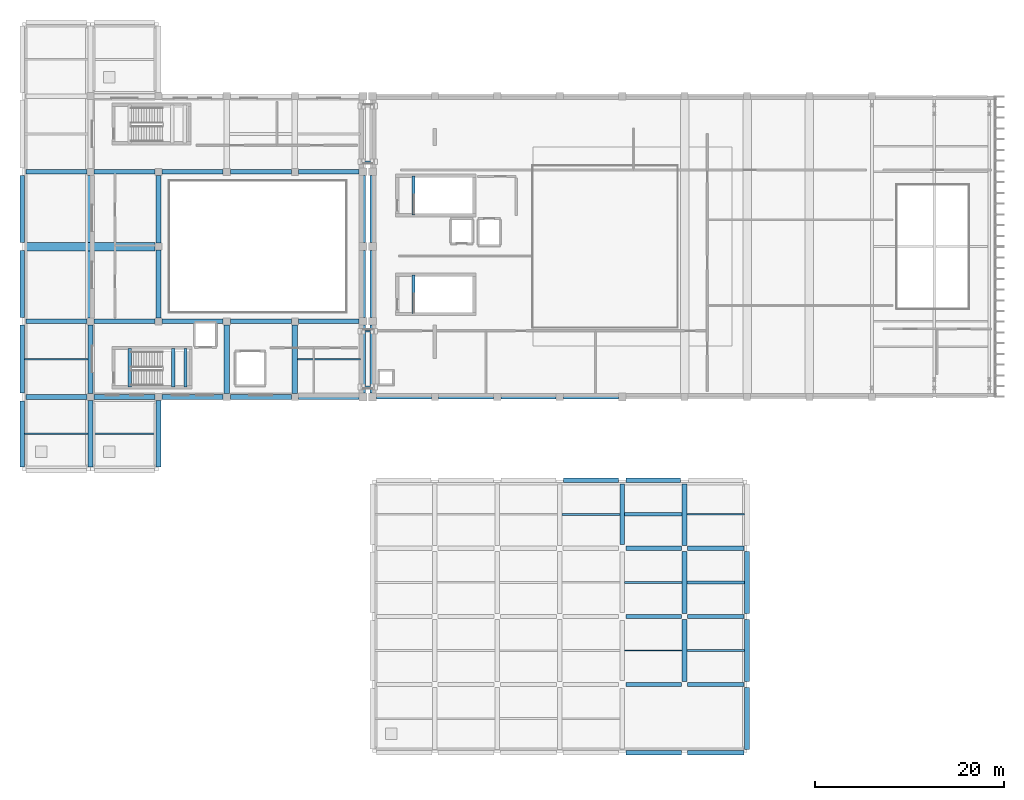
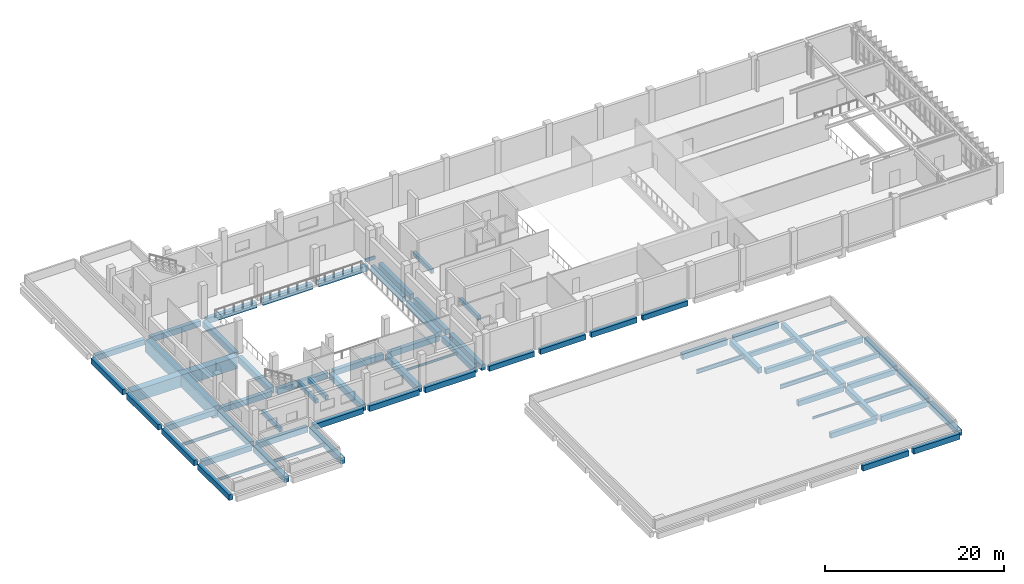
# One storey, part 2 of 23: 74 beams.
"""IFC4 building model written with IfcOpenShell, lengths in metres."""

import ifcopenshell
import ifcopenshell.guid

model = None  # the IFC model being written
_history = None  # IfcOwnerHistory: only IFC2X3 demands one
_inside = {}  # id of a spatial element -> (the spatial element, [elements in it])
_under = {}  # id of a project, library or spatial element -> (it, [spatial elements below it])
_declared = {}  # id of a project -> (the project, [libraries it declares])
_typed = {}  # id of a type object -> (the type object, [elements of that type])
_made_of = {}  # id of a material, layer set ... -> (it, [elements and type objects made of it])


def new_model(schema):
    """Start an empty IFC model of exactly this schema.

    Asked for "IFC4X3", IfcOpenShell would pick the latest addendum, in which some entities
    have other attributes; the version numbers below select the first issue.
    IFC2X3 requires an IfcOwnerHistory on every rooted entity: one is made here for all.
    """
    global model, _history
    if schema == "IFC4X3":
        model = ifcopenshell.file(schema_version=(4, 3, 0, 0))
    else:
        model = ifcopenshell.file(schema=schema)
    _inside.clear()
    _under.clear()
    _declared.clear()
    _typed.clear()
    _made_of.clear()
    _history = None
    if model.schema == "IFC2X3":
        org = make("IfcOrganization", Name="unknown")
        user = make(
            "IfcPersonAndOrganization",
            ThePerson=make("IfcPerson", FamilyName="unknown"),
            TheOrganization=org,
        )
        app = make(
            "IfcApplication",
            ApplicationDeveloper=org,
            Version="unknown",
            ApplicationFullName="unknown",
            ApplicationIdentifier="unknown",
        )
        _history = make(
            "IfcOwnerHistory",
            OwningUser=user,
            OwningApplication=app,
            ChangeAction="ADDED",
            CreationDate=0,
        )
    return model


def make(cls, **values):
    """One entity of the class cls with the attributes given. An attribute that is None is left unset."""
    return model.create_entity(
        cls, **{name: value for name, value in values.items() if value is not None}
    )


def rooted(cls, **values):
    """An entity with a GlobalId (a new one), such as an element, a storey or a relation."""
    return make(cls, GlobalId=ifcopenshell.guid.new(), OwnerHistory=_history, **values)


def si_unit(unit_type, name, prefix=None):
    """IfcSIUnit, for example si_unit("LENGTHUNIT", "METRE", prefix="MILLI")."""
    return make("IfcSIUnit", UnitType=unit_type, Prefix=prefix, Name=name)


def assignment(units):
    """IfcUnitAssignment: the units of a project."""
    return None if units is None else make("IfcUnitAssignment", Units=units)


def point(xyz):
    """IfcCartesianPoint."""
    return None if xyz is None else make("IfcCartesianPoint", Coordinates=xyz)


def direction(xyz):
    """IfcDirection."""
    return None if xyz is None else make("IfcDirection", DirectionRatios=xyz)


def frame(location, z_axis=None, x_axis=None):
    """IfcAxis2Placement3D, a coordinate frame: its origin and axes. An axis left out is left unset."""
    return make(
        "IfcAxis2Placement3D",
        Location=point(location),
        Axis=direction(z_axis),
        RefDirection=direction(x_axis),
    )


def frame_2d(location, x_axis=None):
    """IfcAxis2Placement2D, a coordinate frame in the plane: its origin and x axis."""
    return make(
        "IfcAxis2Placement2D", Location=point(location), RefDirection=direction(x_axis)
    )


def origin():
    """The frame at (0, 0, 0) with its axes left unset."""
    return frame((0.0, 0.0, 0.0))


def origin_2d():
    """The frame at (0, 0) in the plane with its x axis left unset."""
    return frame_2d((0.0, 0.0))


def place(relative_to, where):
    """IfcLocalPlacement: puts the frame where relative to a parent placement (None: the world)."""
    return make(
        "IfcLocalPlacement", PlacementRelTo=relative_to, RelativePlacement=where
    )


def context(
    kind, dimensions, precision=None, world=None, true_north=None, identifier=None
):
    """IfcGeometricRepresentationContext, for example the 3D "Model" context."""
    return make(
        "IfcGeometricRepresentationContext",
        ContextIdentifier=identifier,
        ContextType=kind,
        CoordinateSpaceDimension=dimensions,
        Precision=precision,
        WorldCoordinateSystem=world,
        TrueNorth=true_north,
    )


def subcontext(parent, identifier, kind, view, scale=None):
    """IfcGeometricRepresentationSubContext, for example "Body" below "Model"."""
    return make(
        "IfcGeometricRepresentationSubContext",
        ContextIdentifier=identifier,
        ContextType=kind,
        ParentContext=parent,
        TargetScale=scale,
        TargetView=view,
    )


def project(units=None, contexts=None):
    """IfcProject with its units and contexts."""
    return rooted(
        "IfcProject",
        Name="project",
        RepresentationContexts=contexts,
        UnitsInContext=assignment(units),
    )


def spatial(cls, under=None, at=None, **own):
    """A site, building, storey or space (cls), placed at a placement, below another one or the project."""
    s = rooted(cls, ObjectPlacement=at, **own)
    if under is not None:
        _under.setdefault(under.id(), (under, []))[1].append(s)
    return s


def profile(cls, at=None, kind="AREA", **sizes):
    """A parametric profile (cls). Its sizes go by their IFC names, for example OverallWidth=200.0."""
    return make(cls, ProfileType=kind, Position=at, **sizes)


def rectangle(**sizes):
    """IfcRectangleProfileDef."""
    return profile("IfcRectangleProfileDef", **sizes)


def hollow_rectangle(**sizes):
    """IfcRectangleHollowProfileDef."""
    return profile("IfcRectangleHollowProfileDef", **sizes)


def i_section(**sizes):
    """IfcIShapeProfileDef."""
    return profile("IfcIShapeProfileDef", **sizes)


def extrude(swept, where, along, depth):
    """IfcExtrudedAreaSolid: the profile swept, set in the frame where, extruded along a direction by depth."""
    return make(
        "IfcExtrudedAreaSolid",
        SweptArea=swept,
        Position=where,
        ExtrudedDirection=direction(along),
        Depth=depth,
    )


def shape(context_of_items, identifier, shape_type, items):
    """IfcShapeRepresentation: the items that make up one representation, for example the "Body"."""
    return make(
        "IfcShapeRepresentation",
        ContextOfItems=context_of_items,
        RepresentationIdentifier=identifier,
        RepresentationType=shape_type,
        Items=items,
    )


def material(Name=None, Category=None):
    """IfcMaterial."""
    return make("IfcMaterial", Name=Name, Category=Category)


def material_profile(
    of_material, cross_section, Name=None, Category=None, Priority=None
):
    """IfcMaterialProfile: a cross section and its material."""
    return make(
        "IfcMaterialProfile",
        Name=Name,
        Material=of_material,
        Profile=cross_section,
        Priority=Priority,
        Category=Category,
    )


def profile_set(profiles, Name=None, composite=None):
    """IfcMaterialProfileSet."""
    return make(
        "IfcMaterialProfileSet",
        Name=Name,
        MaterialProfiles=profiles,
        CompositeProfile=composite,
    )


def made_of(thing, what):
    """Note that an element or type object is made of a material, layer set ...; save() writes the relation."""
    if what is not None:
        _made_of.setdefault(what.id(), (what, []))[1].append(thing)
    return thing


def type_object(cls, material=None, **own):
    """A type object (cls), such as IfcWallType, which elements share."""
    return made_of(rooted(cls, **own), material)


def element(
    cls,
    number,
    at=None,
    inside=None,
    cuts=None,
    type_object=None,
    material=None,
    context=None,
    identifier="Body",
    shape_type=None,
    held_by="IfcProductDefinitionShape",
    body=None,
    shapes=None,
    **own,
):
    """One element of the class cls, such as IfcWall. Its Tag is "e" and its number.

    at: its placement. inside: the storey or other place that contains it. cuts: it is an
    opening in that element (IfcRelVoidsElement). A single representation is given by context,
    identifier, shape_type and body (its items); several are given by shapes. held_by: the class
    of the entity that holds the representations. save() writes the other relations.
    """
    e = rooted(cls, Tag="e%d" % number, ObjectPlacement=at, **own)
    if body is not None:
        shapes = [shape(context, identifier, shape_type, body)]
    if shapes is not None:
        e.Representation = make(held_by, Representations=shapes)
    if inside is not None:
        _inside.setdefault(inside.id(), (inside, []))[1].append(e)
    if cuts is not None:
        rooted(
            "IfcRelVoidsElement", RelatingBuildingElement=cuts, RelatedOpeningElement=e
        )
    if type_object is not None:
        _typed.setdefault(type_object.id(), (type_object, []))[1].append(e)
    return made_of(e, material)


def aggregate(whole, parts):
    """IfcRelAggregates: a whole, such as a stair, and the parts it consists of."""
    return rooted("IfcRelAggregates", RelatingObject=whole, RelatedObjects=parts)


def save(model, path):
    """Write the relations noted so far, then the file.

    IfcRelAggregates (storeys below a building ...), IfcRelContainedInSpatialStructure (elements
    in a storey), IfcRelDefinesByType, IfcRelAssociatesMaterial and IfcRelDeclares: one each for
    every whole, place, type object, material and project.
    """
    for whole, parts in _under.values():
        aggregate(whole, parts)
    for where, things in _inside.values():
        rooted(
            "IfcRelContainedInSpatialStructure",
            RelatedElements=things,
            RelatingStructure=where,
        )
    for kind, things in _typed.values():
        rooted("IfcRelDefinesByType", RelatedObjects=things, RelatingType=kind)
    for what, things in _made_of.values():
        rooted("IfcRelAssociatesMaterial", RelatedObjects=things, RelatingMaterial=what)
    for by, libraries in _declared.values():
        rooted("IfcRelDeclares", RelatingContext=by, RelatedDefinitions=libraries)
    model.write(path)


model = new_model("IFC4")

# Units and contexts
model_context = context("Model", 3, precision=1e-05, world=origin(), true_north=direction((0.0, 1.0)))
body_context = subcontext(model_context, "Body", "Model", "MODEL_VIEW")
ifc_project = project(units=[si_unit("LENGTHUNIT", "METRE"), si_unit("AREAUNIT", "SQUARE_METRE"), si_unit("VOLUMEUNIT", "CUBIC_METRE"), si_unit("PLANEANGLEUNIT", "RADIAN"), si_unit("MASSUNIT", "GRAM", prefix="KILO")], contexts=[model_context])

# Site, building, storey
site_placement = place(None, origin())
site = spatial("IfcSite", under=ifc_project, at=site_placement, CompositionType="ELEMENT")
building_placement = place(site_placement, origin())
building = spatial("IfcBuilding", under=site, at=building_placement, Name="Kelarvand Opera House", CompositionType="ELEMENT")
storey_placement = place(building_placement, frame((0.0, 0.0, 19.5)))
storey = spatial("IfcBuildingStorey", under=building, at=storey_placement, Name="L04", CompositionType="ELEMENT", Elevation=19.5)

# Beams
ifc_material_1 = material(Name="Concrete C35/45", Category="concrete")
ifc_material_profile_1 = material_profile(ifc_material_1, rectangle(XDim=0.35009765625, YDim=0.60009765625, at=origin_2d()), Name="RC 350x600", Category="concrete")
ifc_profile_set_1 = profile_set([ifc_material_profile_1], Name="Concrete C35/45")
beam_type_1 = type_object("IfcBeamType", Name="Structural Beam RC 350x600 BM-RC350x600", PredefinedType="BEAM", material=ifc_profile_set_1)
for number, where, z_axis, x_axis, name in (
    (1, (115.64990234375, 34.199951171875, -0.52001953125), (1.0, 0.0, 0.0), (0.0, 1.0, 0.0), "V6 L04 Beam BM-RC350x600"),
    (2, (122.25, 27.0, -0.52001953125), (1.0, 0.0, 0.0), (0.0, 1.0, 0.0), "V6 L04 Beam BM-RC350x600"),
):
    element("IfcBeam", number, at=place(storey_placement, frame(where, z_axis=z_axis, x_axis=x_axis)), inside=storey, type_object=beam_type_1, Name=name, PredefinedType="BEAM", context=body_context, shape_type="SweptSolid", body=[
        extrude(rectangle(XDim=0.35009765625, YDim=0.60009765625, at=origin_2d()), origin(), (0.0, 0.0, 1.0), 6.10009765625),
    ])
beam_1_placement = place(storey_placement, frame((93.340087890625, 65.85009765625, -0.52001953125), z_axis=(0.0, 1.0, 0.0), x_axis=(-1.0, 0.0, 0.0)))
element("IfcBeam", 3, at=beam_1_placement, inside=storey, type_object=beam_type_1, Name="C1 Stair Landing Support Beam L04", PredefinedType="BEAM", context=body_context, shape_type="SweptSolid", body=[
    extrude(rectangle(XDim=0.35009765625, YDim=0.60009765625, at=origin_2d()), origin(), (0.0, 0.0, 1.0), 4.099853515625),
])
for number, where, z_axis, x_axis, name in (
    (4, (63.340087890625, 47.64990234375, -0.52001953125), (0.0, 1.0, 0.0), (-1.0, 0.0, 0.0), "C2 Stair Landing Support Beam L04"),
    (5, (67.949951171875, 47.64990234375, 1.75), (0.0, 1.0, 0.0), (-1.0, 0.0, 0.0), "C2 Stair Half-Landing Beam 1 L04"),
    (6, (69.25, 47.64990234375, 1.75), (0.0, 1.0, 0.0), (-1.0, 0.0, 0.0), "C2 Stair Half-Landing Beam 2 L04"),
    (7, (93.340087890625, 55.39990234375, -0.52001953125), (0.0, 1.0, 0.0), (-1.0, 0.0, 0.0), "C4 Stair Landing Support Beam L04"),
):
    element("IfcBeam", number, at=place(storey_placement, frame(where, z_axis=z_axis, x_axis=x_axis)), inside=storey, type_object=beam_type_1, Name=name, PredefinedType="BEAM", context=body_context, shape_type="SweptSolid", body=[
        extrude(rectangle(XDim=0.35009765625, YDim=0.60009765625, at=origin_2d()), origin(), (0.0, 0.0, 1.0), 4.10009765625),
    ])
ifc_material_2 = material(Name="Concrete C40/50", Category="concrete")
ifc_material_profile_2 = material_profile(ifc_material_2, rectangle(XDim=0.449951171875, YDim=0.699951171875, at=origin_2d()), Name="RC 450x700", Category="concrete")
ifc_profile_set_2 = profile_set([ifc_material_profile_2], Name="Concrete C40/50")
beam_type_2 = type_object("IfcBeamType", Name="Structural Beam RC 450x700 BM-RC450x700", PredefinedType="BEAM", material=ifc_profile_set_2)
beam_2_placement = place(storey_placement, frame((89.409912109375, 46.60009765625, -0.6298828125), z_axis=(1.0, 0.0, 0.0), x_axis=(0.0, 1.0, 0.0)))
element("IfcBeam", 8, at=beam_2_placement, inside=storey, type_object=beam_type_2, Name="V1 L04 Beam BM-RC450x700", PredefinedType="BEAM", context=body_context, shape_type="SweptSolid", body=[
    extrude(rectangle(XDim=0.449951171875, YDim=0.699951171875, at=origin_2d()), origin(), (0.0, 0.0, 1.0), 5.815185546875),
])
beam_3_placement = place(storey_placement, frame((95.97509765625, 46.60009765625, -0.6298828125), z_axis=(1.0, 0.0, 0.0), x_axis=(0.0, 1.0, 0.0)))
element("IfcBeam", 9, at=beam_3_placement, inside=storey, type_object=beam_type_2, Name="V1 L04 Beam BM-RC450x700", PredefinedType="BEAM", context=body_context, shape_type="SweptSolid", body=[
    extrude(rectangle(XDim=0.449951171875, YDim=0.699951171875, at=origin_2d()), origin(), (0.0, 0.0, 1.0), 5.849853515625),
])
beam_4_placement = place(storey_placement, frame((102.574951171875, 46.60009765625, -0.6298828125), z_axis=(1.0, 0.0, 0.0), x_axis=(0.0, 1.0, 0.0)))
element("IfcBeam", 10, at=beam_4_placement, inside=storey, type_object=beam_type_2, Name="V1 L04 Beam BM-RC450x700", PredefinedType="BEAM", context=body_context, shape_type="SweptSolid", body=[
    extrude(rectangle(XDim=0.449951171875, YDim=0.699951171875, at=origin_2d()), origin(), (0.0, 0.0, 1.0), 5.85009765625),
])
beam_5_placement = place(storey_placement, frame((109.175048828125, 46.60009765625, -0.6298828125), z_axis=(1.0, 0.0, 0.0), x_axis=(0.0, 1.0, 0.0)))
element("IfcBeam", 11, at=beam_5_placement, inside=storey, type_object=beam_type_2, Name="V1 L04 Beam BM-RC450x700", PredefinedType="BEAM", context=body_context, shape_type="SweptSolid", body=[
    extrude(rectangle(XDim=0.449951171875, YDim=0.699951171875, at=origin_2d()), origin(), (0.0, 0.0, 1.0), 5.81494140625),
])
beam_6_placement = place(storey_placement, frame((115.81005859375, 16.199951171875, -0.570068359375), z_axis=(1.0, 0.0, 0.0), x_axis=(0.0, 1.0, 0.0)))
element("IfcBeam", 12, at=beam_6_placement, inside=storey, type_object=beam_type_2, Name="V6 L04 Beam BM-RC450x700", PredefinedType="BEAM", context=body_context, shape_type="SweptSolid", body=[
    extrude(rectangle(XDim=0.449951171875, YDim=0.699951171875, at=origin_2d()), origin(), (0.0, 0.0, 1.0), 5.864990234375),
])
beam_7_placement = place(storey_placement, frame((122.324951171875, 16.199951171875, -0.570068359375), z_axis=(1.0, 0.0, 0.0), x_axis=(0.0, 1.0, 0.0)))
element("IfcBeam", 13, at=beam_7_placement, inside=storey, type_object=beam_type_2, Name="V6 L04 Beam BM-RC450x700", PredefinedType="BEAM", context=body_context, shape_type="SweptSolid", body=[
    extrude(rectangle(XDim=0.449951171875, YDim=0.699951171875, at=origin_2d()), origin(), (0.0, 0.0, 1.0), 5.949951171875),
])
beam_8_placement = place(storey_placement, frame((115.81005859375, 23.39990234375, -0.570068359375), z_axis=(1.0, 0.0, 0.0), x_axis=(0.0, 1.0, 0.0)))
element("IfcBeam", 14, at=beam_8_placement, inside=storey, type_object=beam_type_2, Name="V6 L04 Beam BM-RC450x700", PredefinedType="BEAM", context=body_context, shape_type="SweptSolid", body=[
    extrude(rectangle(XDim=0.449951171875, YDim=0.699951171875, at=origin_2d()), origin(), (0.0, 0.0, 1.0), 5.864990234375),
])
beam_9_placement = place(storey_placement, frame((122.324951171875, 23.39990234375, -0.570068359375), z_axis=(1.0, 0.0, 0.0), x_axis=(0.0, 1.0, 0.0)))
element("IfcBeam", 15, at=beam_9_placement, inside=storey, type_object=beam_type_2, Name="V6 L04 Beam BM-RC450x700", PredefinedType="BEAM", context=body_context, shape_type="SweptSolid", body=[
    extrude(rectangle(XDim=0.449951171875, YDim=0.699951171875, at=origin_2d()), origin(), (0.0, 0.0, 1.0), 5.949951171875),
])
beam_10_placement = place(storey_placement, frame((115.81005859375, 30.60009765625, -0.570068359375), z_axis=(1.0, 0.0, 0.0), x_axis=(0.0, 1.0, 0.0)))
element("IfcBeam", 16, at=beam_10_placement, inside=storey, type_object=beam_type_2, Name="V6 L04 Beam BM-RC450x700", PredefinedType="BEAM", context=body_context, shape_type="SweptSolid", body=[
    extrude(rectangle(XDim=0.449951171875, YDim=0.699951171875, at=origin_2d()), origin(), (0.0, 0.0, 1.0), 5.864990234375),
])
beam_11_placement = place(storey_placement, frame((122.324951171875, 30.60009765625, -0.570068359375), z_axis=(1.0, 0.0, 0.0), x_axis=(0.0, 1.0, 0.0)))
element("IfcBeam", 17, at=beam_11_placement, inside=storey, type_object=beam_type_2, Name="V6 L04 Beam BM-RC450x700", PredefinedType="BEAM", context=body_context, shape_type="SweptSolid", body=[
    extrude(rectangle(XDim=0.449951171875, YDim=0.699951171875, at=origin_2d()), origin(), (0.0, 0.0, 1.0), 5.949951171875),
])
ifc_material_profile_3 = material_profile(ifc_material_2, rectangle(XDim=0.5, YDim=0.75, at=origin_2d()), Name="RC 500x750", Category="concrete")
ifc_profile_set_3 = profile_set([ifc_material_profile_3], Name="Concrete C40/50")
beam_type_3 = type_object("IfcBeamType", Name="Structural Beam RC 500x750 BM-RC500x750", PredefinedType="BEAM", material=ifc_profile_set_3)
beam_12_placement = place(storey_placement, frame((52.409912109375, 46.60009765625, -0.655029296875), z_axis=(1.0, 0.0, 0.0), x_axis=(0.0, 1.0, 0.0)))
element("IfcBeam", 18, at=beam_12_placement, inside=storey, type_object=beam_type_3, Name="V2 L04 Beam BM-RC500x750", PredefinedType="BEAM", context=body_context, shape_type="SweptSolid", body=[
    extrude(rectangle(XDim=0.5, YDim=0.75, at=origin_2d()), origin(), (0.0, 0.0, 1.0), 6.4150390625),
])
beam_13_placement = place(storey_placement, frame((59.574951171875, 46.60009765625, -0.655029296875), z_axis=(1.0, 0.0, 0.0), x_axis=(0.0, 1.0, 0.0)))
element("IfcBeam", 19, at=beam_13_placement, inside=storey, type_object=beam_type_3, Name="V2 L04 Beam BM-RC500x750", PredefinedType="BEAM", context=body_context, shape_type="SweptSolid", body=[
    extrude(rectangle(XDim=0.5, YDim=0.75, at=origin_2d()), origin(), (0.0, 0.0, 1.0), 6.449951171875),
])
beam_14_placement = place(storey_placement, frame((66.77490234375, 46.60009765625, -0.655029296875), z_axis=(1.0, 0.0, 0.0), x_axis=(0.0, 1.0, 0.0)))
element("IfcBeam", 20, at=beam_14_placement, inside=storey, type_object=beam_type_3, Name="V2 L04 Beam BM-RC500x750", PredefinedType="BEAM", context=body_context, shape_type="SweptSolid", body=[
    extrude(rectangle(XDim=0.5, YDim=0.75, at=origin_2d()), origin(), (0.0, 0.0, 1.0), 6.4501953125),
])
beam_15_placement = place(storey_placement, frame((73.97509765625, 46.60009765625, -0.655029296875), z_axis=(1.0, 0.0, 0.0), x_axis=(0.0, 1.0, 0.0)))
element("IfcBeam", 21, at=beam_15_placement, inside=storey, type_object=beam_type_3, Name="V2 L04 Beam BM-RC500x750", PredefinedType="BEAM", context=body_context, shape_type="SweptSolid", body=[
    extrude(rectangle(XDim=0.5, YDim=0.75, at=origin_2d()), origin(), (0.0, 0.0, 1.0), 6.449951171875),
])
for number, where, z_axis, x_axis, name in (
    (22, (81.175048828125, 46.60009765625, -0.655029296875), (1.0, 0.0, 0.0), (0.0, 1.0, 0.0), "V2 L04 Beam BM-RC500x750"),
    (23, (52.409912109375, 54.60009765625, -0.655029296875), (1.0, 0.0, 0.0), (0.0, 1.0, 0.0), "V2 L04 Beam BM-RC500x750"),
):
    element("IfcBeam", number, at=place(storey_placement, frame(where, z_axis=z_axis, x_axis=x_axis)), inside=storey, type_object=beam_type_3, Name=name, PredefinedType="BEAM", context=body_context, shape_type="SweptSolid", body=[
        extrude(rectangle(XDim=0.5, YDim=0.75, at=origin_2d()), origin(), (0.0, 0.0, 1.0), 6.4150390625),
    ])
beam_16_placement = place(storey_placement, frame((59.574951171875, 54.60009765625, -0.655029296875), z_axis=(1.0, 0.0, 0.0), x_axis=(0.0, 1.0, 0.0)))
element("IfcBeam", 24, at=beam_16_placement, inside=storey, type_object=beam_type_3, Name="V2 L04 Beam BM-RC500x750", PredefinedType="BEAM", context=body_context, shape_type="SweptSolid", body=[
    extrude(rectangle(XDim=0.5, YDim=0.75, at=origin_2d()), origin(), (0.0, 0.0, 1.0), 6.449951171875),
])
beam_17_placement = place(storey_placement, frame((66.77490234375, 54.60009765625, -0.655029296875), z_axis=(1.0, 0.0, 0.0), x_axis=(0.0, 1.0, 0.0)))
element("IfcBeam", 25, at=beam_17_placement, inside=storey, type_object=beam_type_3, Name="V2 L04 Beam BM-RC500x750", PredefinedType="BEAM", context=body_context, shape_type="SweptSolid", body=[
    extrude(rectangle(XDim=0.5, YDim=0.75, at=origin_2d()), origin(), (0.0, 0.0, 1.0), 6.4501953125),
])
beam_18_placement = place(storey_placement, frame((73.97509765625, 54.60009765625, -0.655029296875), z_axis=(1.0, 0.0, 0.0), x_axis=(0.0, 1.0, 0.0)))
element("IfcBeam", 26, at=beam_18_placement, inside=storey, type_object=beam_type_3, Name="V2 L04 Beam BM-RC500x750", PredefinedType="BEAM", context=body_context, shape_type="SweptSolid", body=[
    extrude(rectangle(XDim=0.5, YDim=0.75, at=origin_2d()), origin(), (0.0, 0.0, 1.0), 6.449951171875),
])
for number, where, z_axis, x_axis, name in (
    (27, (81.175048828125, 54.60009765625, -0.655029296875), (1.0, 0.0, 0.0), (0.0, 1.0, 0.0), "V2 L04 Beam BM-RC500x750"),
    (28, (52.409912109375, 70.39990234375, -0.655029296875), (1.0, 0.0, 0.0), (0.0, 1.0, 0.0), "V2 L04 Beam BM-RC500x750"),
):
    element("IfcBeam", number, at=place(storey_placement, frame(where, z_axis=z_axis, x_axis=x_axis)), inside=storey, type_object=beam_type_3, Name=name, PredefinedType="BEAM", context=body_context, shape_type="SweptSolid", body=[
        extrude(rectangle(XDim=0.5, YDim=0.75, at=origin_2d()), origin(), (0.0, 0.0, 1.0), 6.4150390625),
    ])
beam_19_placement = place(storey_placement, frame((59.574951171875, 70.39990234375, -0.655029296875), z_axis=(1.0, 0.0, 0.0), x_axis=(0.0, 1.0, 0.0)))
element("IfcBeam", 29, at=beam_19_placement, inside=storey, type_object=beam_type_3, Name="V2 L04 Beam BM-RC500x750", PredefinedType="BEAM", context=body_context, shape_type="SweptSolid", body=[
    extrude(rectangle(XDim=0.5, YDim=0.75, at=origin_2d()), origin(), (0.0, 0.0, 1.0), 6.449951171875),
])
beam_20_placement = place(storey_placement, frame((66.77490234375, 70.39990234375, -0.655029296875), z_axis=(1.0, 0.0, 0.0), x_axis=(0.0, 1.0, 0.0)))
element("IfcBeam", 30, at=beam_20_placement, inside=storey, type_object=beam_type_3, Name="V2 L04 Beam BM-RC500x750", PredefinedType="BEAM", context=body_context, shape_type="SweptSolid", body=[
    extrude(rectangle(XDim=0.5, YDim=0.75, at=origin_2d()), origin(), (0.0, 0.0, 1.0), 6.4501953125),
])
beam_21_placement = place(storey_placement, frame((73.97509765625, 70.39990234375, -0.655029296875), z_axis=(1.0, 0.0, 0.0), x_axis=(0.0, 1.0, 0.0)))
element("IfcBeam", 31, at=beam_21_placement, inside=storey, type_object=beam_type_3, Name="V2 L04 Beam BM-RC500x750", PredefinedType="BEAM", context=body_context, shape_type="SweptSolid", body=[
    extrude(rectangle(XDim=0.5, YDim=0.75, at=origin_2d()), origin(), (0.0, 0.0, 1.0), 6.449951171875),
])
beam_22_placement = place(storey_placement, frame((81.175048828125, 70.39990234375, -0.655029296875), z_axis=(1.0, 0.0, 0.0), x_axis=(0.0, 1.0, 0.0)))
element("IfcBeam", 32, at=beam_22_placement, inside=storey, type_object=beam_type_3, Name="V2 L04 Beam BM-RC500x750", PredefinedType="BEAM", context=body_context, shape_type="SweptSolid", body=[
    extrude(rectangle(XDim=0.5, YDim=0.75, at=origin_2d()), origin(), (0.0, 0.0, 1.0), 6.4150390625),
])
beam_23_placement = place(storey_placement, frame((115.39990234375, 31.010009765625, -0.594970703125), z_axis=(0.0, 1.0, 0.0), x_axis=(-1.0, 0.0, 0.0)))
element("IfcBeam", 33, at=beam_23_placement, inside=storey, type_object=beam_type_3, Name="V6 L04 Beam BM-RC500x750", PredefinedType="BEAM", context=body_context, shape_type="SweptSolid", body=[
    extrude(rectangle(XDim=0.5, YDim=0.75, at=origin_2d()), origin(), (0.0, 0.0, 1.0), 6.3798828125),
])
beam_24_placement = place(storey_placement, frame((122.0, 16.52490234375, -0.594970703125), z_axis=(0.0, 1.0, 0.0), x_axis=(-1.0, 0.0, 0.0)))
element("IfcBeam", 34, at=beam_24_placement, inside=storey, type_object=beam_type_3, Name="V6 L04 Beam BM-RC500x750", PredefinedType="BEAM", context=body_context, shape_type="SweptSolid", body=[
    extrude(rectangle(XDim=0.5, YDim=0.75, at=origin_2d()), origin(), (0.0, 0.0, 1.0), 6.550048828125),
])
beam_25_placement = place(storey_placement, frame((122.0, 23.72509765625, -0.594970703125), z_axis=(0.0, 1.0, 0.0), x_axis=(-1.0, 0.0, 0.0)))
element("IfcBeam", 35, at=beam_25_placement, inside=storey, type_object=beam_type_3, Name="V6 L04 Beam BM-RC500x750", PredefinedType="BEAM", context=body_context, shape_type="SweptSolid", body=[
    extrude(rectangle(XDim=0.5, YDim=0.75, at=origin_2d()), origin(), (0.0, 0.0, 1.0), 6.5498046875),
])
beam_26_placement = place(storey_placement, frame((122.0, 30.925048828125, -0.594970703125), z_axis=(0.0, 1.0, 0.0), x_axis=(-1.0, 0.0, 0.0)))
element("IfcBeam", 36, at=beam_26_placement, inside=storey, type_object=beam_type_3, Name="V6 L04 Beam BM-RC500x750", PredefinedType="BEAM", context=body_context, shape_type="SweptSolid", body=[
    extrude(rectangle(XDim=0.5, YDim=0.75, at=origin_2d()), origin(), (0.0, 0.0, 1.0), 6.46484375),
])
for number, where, z_axis, x_axis, name in (
    (37, (128.60009765625, 9.324951171875, -0.594970703125), (0.0, 1.0, 0.0), (-1.0, 0.0, 0.0), "V6 L04 Beam BM-RC500x750"),
    (38, (128.60009765625, 16.52490234375, -0.594970703125), (0.0, 1.0, 0.0), (-1.0, 0.0, 0.0), "V6 L04 Beam BM-RC500x750"),
):
    element("IfcBeam", number, at=place(storey_placement, frame(where, z_axis=z_axis, x_axis=x_axis)), inside=storey, type_object=beam_type_3, Name=name, PredefinedType="BEAM", context=body_context, shape_type="SweptSolid", body=[
        extrude(rectangle(XDim=0.5, YDim=0.75, at=origin_2d()), origin(), (0.0, 0.0, 1.0), 6.550048828125),
    ])
beam_27_placement = place(storey_placement, frame((128.60009765625, 23.72509765625, -0.594970703125), z_axis=(0.0, 1.0, 0.0), x_axis=(-1.0, 0.0, 0.0)))
element("IfcBeam", 39, at=beam_27_placement, inside=storey, type_object=beam_type_3, Name="V6 L04 Beam BM-RC500x750", PredefinedType="BEAM", context=body_context, shape_type="SweptSolid", body=[
    extrude(rectangle(XDim=0.5, YDim=0.75, at=origin_2d()), origin(), (0.0, 0.0, 1.0), 6.5498046875),
])
ifc_material_profile_4 = material_profile(ifc_material_2, rectangle(XDim=0.550048828125, YDim=0.85009765625, at=origin_2d()), Name="RC 550x850", Category="concrete")
ifc_profile_set_4 = profile_set([ifc_material_profile_4], Name="Concrete C40/50")
beam_type_4 = type_object("IfcBeamType", Name="Structural Beam RC 550x850 BM-RC550x850", PredefinedType="BEAM", material=ifc_profile_set_4)
beam_28_placement = place(storey_placement, frame((59.199951171875, 39.2099609375, -0.705078125), z_axis=(0.0, 1.0, 0.0), x_axis=(-1.0, 0.0, 0.0)))
element("IfcBeam", 40, at=beam_28_placement, inside=storey, type_object=beam_type_4, Name="V2 L04 Beam BM-RC550x850", PredefinedType="BEAM", context=body_context, shape_type="SweptSolid", body=[
    extrude(rectangle(XDim=0.550048828125, YDim=0.85009765625, at=origin_2d()), origin(), (0.0, 0.0, 1.0), 7.01513671875),
])
beam_29_placement = place(storey_placement, frame((59.199951171875, 46.97509765625, -0.705078125), z_axis=(0.0, 1.0, 0.0), x_axis=(-1.0, 0.0, 0.0)))
element("IfcBeam", 41, at=beam_29_placement, inside=storey, type_object=beam_type_4, Name="V2 L04 Beam BM-RC550x850", PredefinedType="BEAM", context=body_context, shape_type="SweptSolid", body=[
    extrude(rectangle(XDim=0.550048828125, YDim=0.85009765625, at=origin_2d()), origin(), (0.0, 0.0, 1.0), 7.25),
])
beam_30_placement = place(storey_placement, frame((66.39990234375, 39.2099609375, -0.705078125), z_axis=(0.0, 1.0, 0.0), x_axis=(-1.0, 0.0, 0.0)))
element("IfcBeam", 42, at=beam_30_placement, inside=storey, type_object=beam_type_4, Name="V2 L04 Beam BM-RC550x850", PredefinedType="BEAM", context=body_context, shape_type="SweptSolid", body=[
    extrude(rectangle(XDim=0.550048828125, YDim=0.85009765625, at=origin_2d()), origin(), (0.0, 0.0, 1.0), 7.01513671875),
])
for number, where, z_axis, x_axis, name in (
    (43, (66.39990234375, 54.97509765625, -0.705078125), (0.0, 1.0, 0.0), (-1.0, 0.0, 0.0), "V2 L04 Beam BM-RC550x850"),
    (44, (66.39990234375, 62.875, -0.705078125), (0.0, 1.0, 0.0), (-1.0, 0.0, 0.0), "V2 L04 Beam BM-RC550x850"),
):
    element("IfcBeam", number, at=place(storey_placement, frame(where, z_axis=z_axis, x_axis=x_axis)), inside=storey, type_object=beam_type_4, Name=name, PredefinedType="BEAM", context=body_context, shape_type="SweptSolid", body=[
        extrude(rectangle(XDim=0.550048828125, YDim=0.85009765625, at=origin_2d()), origin(), (0.0, 0.0, 1.0), 7.14990234375),
    ])
for number, where, z_axis, x_axis, name in (
    (45, (73.60009765625, 46.97509765625, -0.705078125), (0.0, 1.0, 0.0), (-1.0, 0.0, 0.0), "V2 L04 Beam BM-RC550x850"),
    (46, (80.800048828125, 46.97509765625, -0.705078125), (0.0, 1.0, 0.0), (-1.0, 0.0, 0.0), "V2 L04 Beam BM-RC550x850"),
):
    element("IfcBeam", number, at=place(storey_placement, frame(where, z_axis=z_axis, x_axis=x_axis)), inside=storey, type_object=beam_type_4, Name=name, PredefinedType="BEAM", context=body_context, shape_type="SweptSolid", body=[
        extrude(rectangle(XDim=0.550048828125, YDim=0.85009765625, at=origin_2d()), origin(), (0.0, 0.0, 1.0), 7.25),
    ])
ifc_material_profile_5 = material_profile(ifc_material_2, rectangle(XDim=0.89990234375, YDim=1.60009765625, at=origin_2d()), Name="RC 900x1600", Category="concrete")
ifc_profile_set_5 = profile_set([ifc_material_profile_5], Name="Concrete C40/50")
beam_type_5 = type_object("IfcBeamType", Name="Structural Beam RC 900x1600 BM-RC900x1600", PredefinedType="BEAM", material=ifc_profile_set_5)
beam_31_placement = place(storey_placement, frame((52.409912109375, 62.5, -1.080078125), z_axis=(1.0, 0.0, 0.0), x_axis=(0.0, 1.0, 0.0)))
element("IfcBeam", 47, at=beam_31_placement, inside=storey, type_object=beam_type_5, Name="V2 L04 Beam BM-RC900x1600", PredefinedType="BEAM", context=body_context, shape_type="SweptSolid", body=[
    extrude(rectangle(XDim=0.89990234375, YDim=1.60009765625, at=origin_2d()), origin(), (0.0, 0.0, 1.0), 13.614990234375),
])
beam_32_placement = place(storey_placement, frame((59.199951171875, 54.97509765625, -1.080078125), z_axis=(0.0, 1.0, 0.0), x_axis=(-1.0, 0.0, 0.0)))
element("IfcBeam", 48, at=beam_32_placement, inside=storey, type_object=beam_type_5, Name="V2 L04 Beam BM-RC900x1600", PredefinedType="BEAM", context=body_context, shape_type="SweptSolid", body=[
    extrude(rectangle(XDim=0.89990234375, YDim=1.60009765625, at=origin_2d()), origin(), (0.0, 0.0, 1.0), 15.0498046875),
])
ifc_material_3 = material(Name="Steel S355", Category="steel")
ifc_material_profile_6 = material_profile(ifc_material_3, hollow_rectangle(XDim=0.199951171875, YDim=0.39990234375, WallThickness=0.01611328125, at=origin_2d()), Name="RHS 400x200x16.0", Category="steel")
ifc_profile_set_6 = profile_set([ifc_material_profile_6], Name="Steel S355")
beam_type_6 = type_object("IfcBeamType", Name="Structural Beam RHS 400x200x16.0 BM-RHS400", PredefinedType="BEAM", material=ifc_profile_set_6)
for number, where, z_axis, x_axis, name in (
    (49, (87.85009765625, 71.449951171875, -0.52001953125), (1.0, 0.0, 0.0), (0.0, 1.0, 0.0), "Seismic Sliding Corbel Beam BR-JP-N L04 1"),
    (50, (87.85009765625, 47.64990234375, -0.52001953125), (1.0, 0.0, 0.0), (0.0, 1.0, 0.0), "Seismic Sliding Corbel Beam BR-JP-S L04 1"),
    (51, (87.85009765625, 53.550048828125, -0.52001953125), (1.0, 0.0, 0.0), (0.0, 1.0, 0.0), "Seismic Sliding Corbel Beam BR-JP-S L04 2"),
):
    element("IfcBeam", number, at=place(storey_placement, frame(where, z_axis=z_axis, x_axis=x_axis)), inside=storey, type_object=beam_type_6, Name=name, PredefinedType="BEAM", context=body_context, shape_type="SweptSolid", body=[
        extrude(hollow_rectangle(XDim=0.199951171875, YDim=0.39990234375, WallThickness=0.01611328125, at=origin_2d()), origin(), (0.0, 0.0, 1.0), 1.2998046875),
    ])
ifc_material_profile_7 = material_profile(ifc_material_3, i_section(OverallWidth=0.14990234375, OverallDepth=0.300048828125, WebThickness=0.007080078125, FlangeThickness=0.0107421875, at=origin_2d()), Name="IPE 300", Category="steel")
ifc_profile_set_7 = profile_set([ifc_material_profile_7], Name="Steel S355")
beam_type_7 = type_object("IfcBeamType", Name="Structural Joist IPE 300 JS-IPE300", PredefinedType="JOIST", material=ifc_profile_set_7)
beam_33_placement = place(storey_placement, frame((81.074951171875, 50.60009765625, -0.429931640625), z_axis=(1.0, 0.0, 0.0), x_axis=(0.0, 1.0, 0.0)))
element("IfcBeam", 52, at=beam_33_placement, inside=storey, type_object=beam_type_7, Name="V2 L04 Beam JS-IPE300", PredefinedType="JOIST", context=body_context, shape_type="SweptSolid", body=[
    extrude(i_section(OverallWidth=0.14990234375, OverallDepth=0.300048828125, WebThickness=0.007080078125, FlangeThickness=0.0107421875, at=origin_2d()), origin(), (0.0, 0.0, 1.0), 6.675048828125),
])
beam_34_placement = place(storey_placement, frame((115.64990234375, 19.800048828125, -0.3701171875), z_axis=(1.0, 0.0, 0.0), x_axis=(0.0, 1.0, 0.0)))
element("IfcBeam", 53, at=beam_34_placement, inside=storey, type_object=beam_type_7, Name="V6 L04 Beam JS-IPE300", PredefinedType="JOIST", context=body_context, shape_type="SweptSolid", body=[
    extrude(i_section(OverallWidth=0.14990234375, OverallDepth=0.300048828125, WebThickness=0.007080078125, FlangeThickness=0.0107421875, at=origin_2d()), origin(), (0.0, 0.0, 1.0), 6.10009765625),
])
ifc_material_profile_8 = material_profile(ifc_material_3, i_section(OverallWidth=0.169921875, OverallDepth=0.360107421875, WebThickness=0.008056640625, FlangeThickness=0.0126953125, at=origin_2d()), Name="IPE 360", Category="steel")
ifc_profile_set_8 = profile_set([ifc_material_profile_8], Name="Steel S355")
beam_type_8 = type_object("IfcBeamType", Name="Structural Joist IPE 360 JS-IPE360", PredefinedType="JOIST", material=ifc_profile_set_8)
beam_35_placement = place(storey_placement, frame((52.25, 42.699951171875, -0.4599609375), z_axis=(1.0, 0.0, 0.0), x_axis=(0.0, 1.0, 0.0)))
element("IfcBeam", 54, at=beam_35_placement, inside=storey, type_object=beam_type_8, Name="V2 L04 Beam JS-IPE360", PredefinedType="JOIST", context=body_context, shape_type="SweptSolid", body=[
    extrude(i_section(OverallWidth=0.169921875, OverallDepth=0.360107421875, WebThickness=0.008056640625, FlangeThickness=0.0126953125, at=origin_2d()), origin(), (0.0, 0.0, 1.0), 6.675048828125),
])
beam_36_placement = place(storey_placement, frame((122.25, 34.199951171875, -0.39990234375), z_axis=(1.0, 0.0, 0.0), x_axis=(0.0, 1.0, 0.0)))
element("IfcBeam", 55, at=beam_36_placement, inside=storey, type_object=beam_type_8, Name="V6 L04 Beam JS-IPE360", PredefinedType="JOIST", context=body_context, shape_type="SweptSolid", body=[
    extrude(i_section(OverallWidth=0.169921875, OverallDepth=0.360107421875, WebThickness=0.008056640625, FlangeThickness=0.0126953125, at=origin_2d()), origin(), (0.0, 0.0, 1.0), 6.10009765625),
])
ifc_material_profile_9 = material_profile(ifc_material_3, i_section(OverallWidth=0.179931640625, OverallDepth=0.39990234375, WebThickness=0.008544921875, FlangeThickness=0.013427734375, at=origin_2d()), Name="IPE 400", Category="steel")
ifc_profile_set_9 = profile_set([ifc_material_profile_9], Name="Steel S355")
beam_type_9 = type_object("IfcBeamType", Name="Structural Joist IPE 400 JS-IPE400", PredefinedType="JOIST", material=ifc_profile_set_9)
beam_37_placement = place(storey_placement, frame((52.25, 50.60009765625, -0.47998046875), z_axis=(1.0, 0.0, 0.0), x_axis=(0.0, 1.0, 0.0)))
element("IfcBeam", 56, at=beam_37_placement, inside=storey, type_object=beam_type_9, Name="V2 L04 Beam JS-IPE400", PredefinedType="JOIST", context=body_context, shape_type="SweptSolid", body=[
    extrude(i_section(OverallWidth=0.179931640625, OverallDepth=0.39990234375, WebThickness=0.008544921875, FlangeThickness=0.013427734375, at=origin_2d()), origin(), (0.0, 0.0, 1.0), 6.675048828125),
])
beam_38_placement = place(storey_placement, frame((59.47509765625, 42.699951171875, -0.47998046875), z_axis=(1.0, 0.0, 0.0), x_axis=(0.0, 1.0, 0.0)))
element("IfcBeam", 57, at=beam_38_placement, inside=storey, type_object=beam_type_9, Name="V2 L04 Beam JS-IPE400", PredefinedType="JOIST", context=body_context, shape_type="SweptSolid", body=[
    extrude(i_section(OverallWidth=0.179931640625, OverallDepth=0.39990234375, WebThickness=0.008544921875, FlangeThickness=0.013427734375, at=origin_2d()), origin(), (0.0, 0.0, 1.0), 6.64990234375),
])
ifc_material_profile_10 = material_profile(ifc_material_3, i_section(OverallWidth=0.2099609375, OverallDepth=0.550048828125, WebThickness=0.010986328125, FlangeThickness=0.01708984375, at=origin_2d()), Name="IPE 550", Category="steel")
ifc_profile_set_10 = profile_set([ifc_material_profile_10], Name="Steel S355")
beam_type_10 = type_object("IfcBeamType", Name="Structural Joist IPE 550 JS-IPE550", PredefinedType="JOIST", material=ifc_profile_set_10)
beam_39_placement = place(storey_placement, frame((109.050048828125, 34.199951171875, -0.4951171875), z_axis=(1.0, 0.0, 0.0), x_axis=(0.0, 1.0, 0.0)))
element("IfcBeam", 58, at=beam_39_placement, inside=storey, type_object=beam_type_10, Name="V6 L04 Beam JS-IPE550", PredefinedType="JOIST", context=body_context, shape_type="SweptSolid", body=[
    extrude(i_section(OverallWidth=0.2099609375, OverallDepth=0.550048828125, WebThickness=0.010986328125, FlangeThickness=0.01708984375, at=origin_2d()), origin(), (0.0, 0.0, 1.0), 6.099853515625),
])
for number, where, z_axis, x_axis, name in (
    (59, (115.64990234375, 27.0, -0.4951171875), (1.0, 0.0, 0.0), (0.0, 1.0, 0.0), "V6 L04 Beam JS-IPE550"),
    (60, (122.25, 19.800048828125, -0.4951171875), (1.0, 0.0, 0.0), (0.0, 1.0, 0.0), "V6 L04 Beam JS-IPE550"),
):
    element("IfcBeam", number, at=place(storey_placement, frame(where, z_axis=z_axis, x_axis=x_axis)), inside=storey, type_object=beam_type_10, Name=name, PredefinedType="JOIST", context=body_context, shape_type="SweptSolid", body=[
        extrude(i_section(OverallWidth=0.2099609375, OverallDepth=0.550048828125, WebThickness=0.010986328125, FlangeThickness=0.01708984375, at=origin_2d()), origin(), (0.0, 0.0, 1.0), 6.10009765625),
    ])
ifc_material_profile_11 = material_profile(ifc_material_2, rectangle(XDim=0.5, YDim=0.75, at=origin_2d()), Name="RC 500x750", Category="concrete")
ifc_profile_set_11 = profile_set([ifc_material_profile_11], Name="Concrete C40/50")
beam_type_11 = type_object("IfcBeamType", Name="Structural Spandrel RC 500x750 SP-RC500x750E", PredefinedType="SPANDREL", material=ifc_profile_set_11)
beam_40_placement = place(storey_placement, frame((89.0, 47.010009765625, -0.655029296875), z_axis=(0.0, 1.0, 0.0), x_axis=(-1.0, 0.0, 0.0)))
element("IfcBeam", 61, at=beam_40_placement, inside=storey, type_object=beam_type_11, Name="V1 L04 Beam SP-RC500x750E", PredefinedType="SPANDREL", context=body_context, shape_type="SweptSolid", body=[
    extrude(rectangle(XDim=0.5, YDim=0.75, at=origin_2d()), origin(), (0.0, 0.0, 1.0), 7.179931640625),
])
for number, where, z_axis, x_axis, name in (
    (62, (89.0, 55.010009765625, -0.655029296875), (0.0, 1.0, 0.0), (-1.0, 0.0, 0.0), "V1 L04 Beam SP-RC500x750E"),
    (63, (89.0, 62.909912109375, -0.655029296875), (0.0, 1.0, 0.0), (-1.0, 0.0, 0.0), "V1 L04 Beam SP-RC500x750E"),
):
    element("IfcBeam", number, at=place(storey_placement, frame(where, z_axis=z_axis, x_axis=x_axis)), inside=storey, type_object=beam_type_11, Name=name, PredefinedType="SPANDREL", context=body_context, shape_type="SweptSolid", body=[
        extrude(rectangle(XDim=0.5, YDim=0.75, at=origin_2d()), origin(), (0.0, 0.0, 1.0), 7.080078125),
    ])
beam_41_placement = place(storey_placement, frame((52.0, 39.2099609375, -0.655029296875), z_axis=(0.0, 1.0, 0.0), x_axis=(-1.0, 0.0, 0.0)))
element("IfcBeam", 64, at=beam_41_placement, inside=storey, type_object=beam_type_11, Name="V2 L04 Beam SP-RC500x750E", PredefinedType="SPANDREL", context=body_context, shape_type="SweptSolid", body=[
    extrude(rectangle(XDim=0.5, YDim=0.75, at=origin_2d()), origin(), (0.0, 0.0, 1.0), 6.97998046875),
])
beam_42_placement = place(storey_placement, frame((52.0, 47.010009765625, -0.655029296875), z_axis=(0.0, 1.0, 0.0), x_axis=(-1.0, 0.0, 0.0)))
element("IfcBeam", 65, at=beam_42_placement, inside=storey, type_object=beam_type_11, Name="V2 L04 Beam SP-RC500x750E", PredefinedType="SPANDREL", context=body_context, shape_type="SweptSolid", body=[
    extrude(rectangle(XDim=0.5, YDim=0.75, at=origin_2d()), origin(), (0.0, 0.0, 1.0), 7.179931640625),
])
for number, where, z_axis, x_axis, name in (
    (66, (52.0, 55.010009765625, -0.655029296875), (0.0, 1.0, 0.0), (-1.0, 0.0, 0.0), "V2 L04 Beam SP-RC500x750E"),
    (67, (52.0, 62.909912109375, -0.655029296875), (0.0, 1.0, 0.0), (-1.0, 0.0, 0.0), "V2 L04 Beam SP-RC500x750E"),
):
    element("IfcBeam", number, at=place(storey_placement, frame(where, z_axis=z_axis, x_axis=x_axis)), inside=storey, type_object=beam_type_11, Name=name, PredefinedType="SPANDREL", context=body_context, shape_type="SweptSolid", body=[
        extrude(rectangle(XDim=0.5, YDim=0.75, at=origin_2d()), origin(), (0.0, 0.0, 1.0), 7.080078125),
    ])
beam_43_placement = place(storey_placement, frame((88.0, 47.010009765625, -0.655029296875), z_axis=(0.0, 1.0, 0.0), x_axis=(-1.0, 0.0, 0.0)))
element("IfcBeam", 68, at=beam_43_placement, inside=storey, type_object=beam_type_11, Name="V2 L04 Beam SP-RC500x750E", PredefinedType="SPANDREL", context=body_context, shape_type="SweptSolid", body=[
    extrude(rectangle(XDim=0.5, YDim=0.75, at=origin_2d()), origin(), (0.0, 0.0, 1.0), 7.179931640625),
])
for number, where, z_axis, x_axis, name in (
    (69, (88.0, 55.010009765625, -0.655029296875), (0.0, 1.0, 0.0), (-1.0, 0.0, 0.0), "V2 L04 Beam SP-RC500x750E"),
    (70, (88.0, 62.909912109375, -0.655029296875), (0.0, 1.0, 0.0), (-1.0, 0.0, 0.0), "V2 L04 Beam SP-RC500x750E"),
):
    element("IfcBeam", number, at=place(storey_placement, frame(where, z_axis=z_axis, x_axis=x_axis)), inside=storey, type_object=beam_type_11, Name=name, PredefinedType="SPANDREL", context=body_context, shape_type="SweptSolid", body=[
        extrude(rectangle(XDim=0.5, YDim=0.75, at=origin_2d()), origin(), (0.0, 0.0, 1.0), 7.080078125),
    ])
beam_44_placement = place(storey_placement, frame((115.81005859375, 9.0, -0.594970703125), z_axis=(1.0, 0.0, 0.0), x_axis=(0.0, 1.0, 0.0)))
element("IfcBeam", 71, at=beam_44_placement, inside=storey, type_object=beam_type_11, Name="V6 L04 Beam SP-RC500x750E", PredefinedType="SPANDREL", context=body_context, shape_type="SweptSolid", body=[
    extrude(rectangle(XDim=0.5, YDim=0.75, at=origin_2d()), origin(), (0.0, 0.0, 1.0), 5.864990234375),
])
beam_45_placement = place(storey_placement, frame((122.324951171875, 9.0, -0.594970703125), z_axis=(1.0, 0.0, 0.0), x_axis=(0.0, 1.0, 0.0)))
element("IfcBeam", 72, at=beam_45_placement, inside=storey, type_object=beam_type_11, Name="V6 L04 Beam SP-RC500x750E", PredefinedType="SPANDREL", context=body_context, shape_type="SweptSolid", body=[
    extrude(rectangle(XDim=0.5, YDim=0.75, at=origin_2d()), origin(), (0.0, 0.0, 1.0), 5.949951171875),
])
for number, where, z_axis, x_axis, name in (
    (73, (109.2099609375, 37.800048828125, -0.594970703125), (1.0, 0.0, 0.0), (0.0, 1.0, 0.0), "V6 L04 Beam SP-RC500x750E"),
    (74, (115.81005859375, 37.800048828125, -0.594970703125), (1.0, 0.0, 0.0), (0.0, 1.0, 0.0), "V6 L04 Beam SP-RC500x750E"),
):
    element("IfcBeam", number, at=place(storey_placement, frame(where, z_axis=z_axis, x_axis=x_axis)), inside=storey, type_object=beam_type_11, Name=name, PredefinedType="SPANDREL", context=body_context, shape_type="SweptSolid", body=[
        extrude(rectangle(XDim=0.5, YDim=0.75, at=origin_2d()), origin(), (0.0, 0.0, 1.0), 5.780029296875),
    ])

save(model, "model.ifc")
